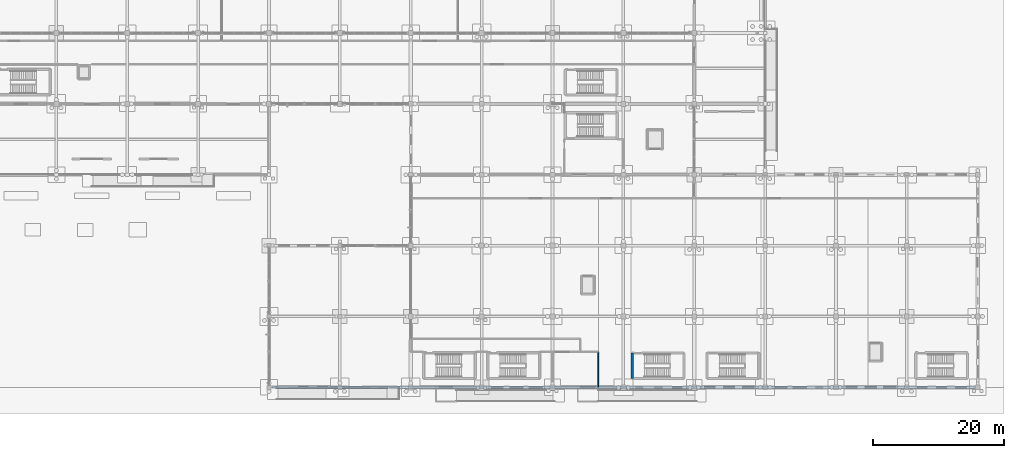
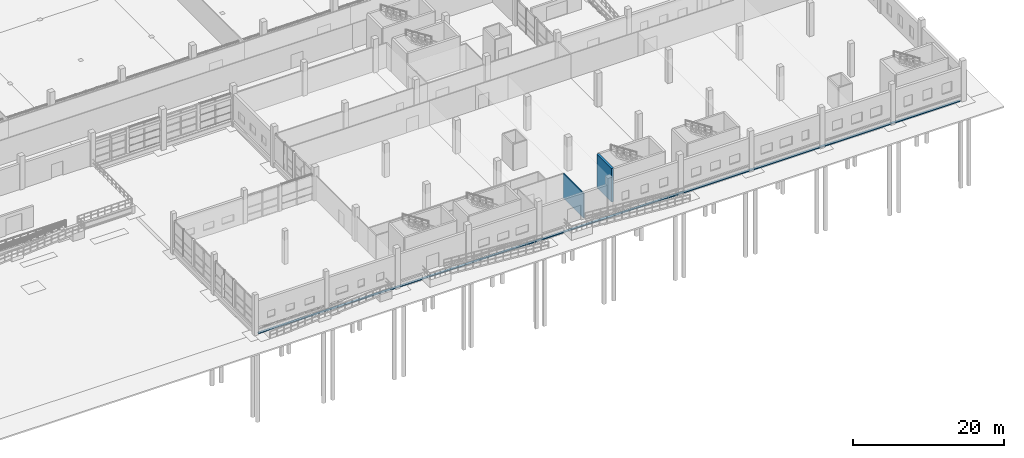
# One storey, part 108 of 138: 3 walls.
"""IFC4 building model written with IfcOpenShell, lengths in metres."""

from ifc_helpers import new_model, si_unit, direction, frame, frame_2d, origin, place, context, subcontext, project, spatial, rectangle, extrude, material, layer, layer_set, type_object, element, save


model = new_model("IFC4")

# Units and contexts
model_context = context("Model", 3, precision=1e-05, world=origin(), true_north=direction((0.0, 1.0)))
body_context = subcontext(model_context, "Body", "Model", "MODEL_VIEW")
ifc_project = project(units=[si_unit("LENGTHUNIT", "METRE"), si_unit("AREAUNIT", "SQUARE_METRE"), si_unit("VOLUMEUNIT", "CUBIC_METRE"), si_unit("PLANEANGLEUNIT", "RADIAN"), si_unit("MASSUNIT", "GRAM", prefix="KILO")], contexts=[model_context])

# Site, building, storey
site_placement = place(None, origin())
site = spatial("IfcSite", under=ifc_project, at=site_placement, CompositionType="ELEMENT")
building_placement = place(site_placement, origin())
building = spatial("IfcBuilding", under=site, at=building_placement, Name="Zwinboog Wholesale Market", CompositionType="ELEMENT")
storey_placement = place(building_placement, origin())
storey = spatial("IfcBuildingStorey", under=building, at=storey_placement, Name="L00", CompositionType="ELEMENT", Elevation=0.0)

# Walls
ifc_material_1 = material(Name="Concrete C40/50", Category="concrete")
ifc_layer_1 = layer(ifc_material_1, 0.333984375)
ifc_layer_set_1 = layer_set([ifc_layer_1], Name="Concrete C40/50")
wall_type_1 = type_object("IfcWallType", Name="WT-RW-334", PredefinedType="USERDEFINED", material=ifc_layer_set_1)
wall_1_placement = place(storey_placement, frame((108.449951171875, 0.0, -1.199951171875), z_axis=(0.0, 0.0, 1.0), x_axis=(1.0, 0.0, 0.0)))
element("IfcWall", 1, at=wall_1_placement, inside=storey, type_object=wall_type_1, Name="RW-01 (WL-RET-02)", ObjectType="RETAININGWALL", PredefinedType="USERDEFINED", context=body_context, shape_type="SweptSolid", body=[
    extrude(rectangle(XDim=107.10009765625, YDim=0.333984375, at=frame_2d((53.550048828125, 0.0))), origin(), (0.0, 0.0, 1.0), 0.139892578125),
])
ifc_layer_2 = layer(ifc_material_1, 0.320068359375)
ifc_layer_set_2 = layer_set([ifc_layer_2], Name="Concrete C40/50")
wall_type_2 = type_object("IfcWallType", Name="WT-SW-320", PredefinedType="SHEAR", material=ifc_layer_set_2)
wall_2_placement = place(storey_placement, frame((163.35009765625, 1.35009765625, 0.0), z_axis=(0.0, 0.0, 1.0), x_axis=(0.0, 1.0, 0.0)))
element("IfcWall", 2, at=wall_2_placement, inside=storey, type_object=wall_type_2, Name="SW-03 (WL-SW-L00-099)", PredefinedType="SHEAR", context=body_context, shape_type="SweptSolid", body=[
    extrude(rectangle(XDim=3.89990234375, YDim=0.320068359375, at=frame_2d((1.949951171875, 0.0))), origin(), (0.0, 0.0, 1.0), 5.39990234375),
])
ifc_material_2 = material(Name="Fire-rated corridor stud partition")
ifc_layer_3 = layer(ifc_material_2, 0.154052734375)
ifc_layer_set_3 = layer_set([ifc_layer_3], Name="Fire-rated corridor stud partition")
wall_type_3 = type_object("IfcWallType", Name="WT-PT-154", PredefinedType="PARTITIONING", material=ifc_layer_set_3)
wall_3_placement = place(storey_placement, frame((158.199951171875, 0.0, 0.0), z_axis=(0.0, 0.0, 1.0), x_axis=(0.0, 1.0, 0.0)))
element("IfcWall", 3, at=wall_3_placement, inside=storey, type_object=wall_type_3, Name="PW-04 (WL-IN-L00-0035)", PredefinedType="PARTITIONING", context=body_context, shape_type="SweptSolid", body=[
    extrude(rectangle(XDim=5.39990234375, YDim=0.154052734375, at=frame_2d((2.699951171875, 0.0))), origin(), (0.0, 0.0, 1.0), 3.949951171875),
])

save(model, "model.ifc")
